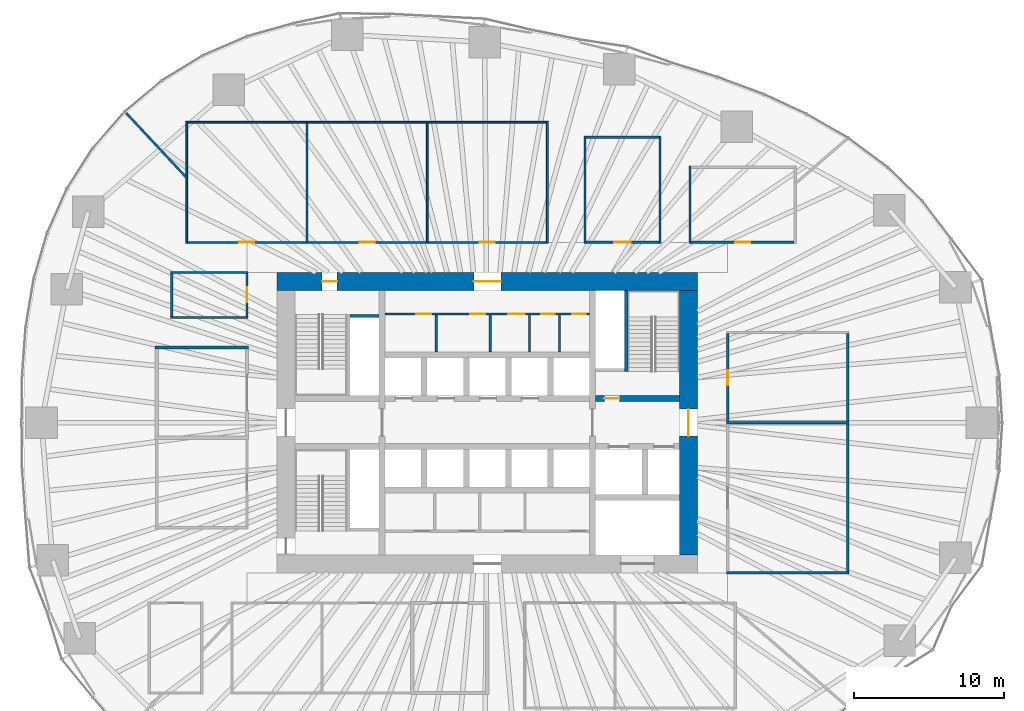
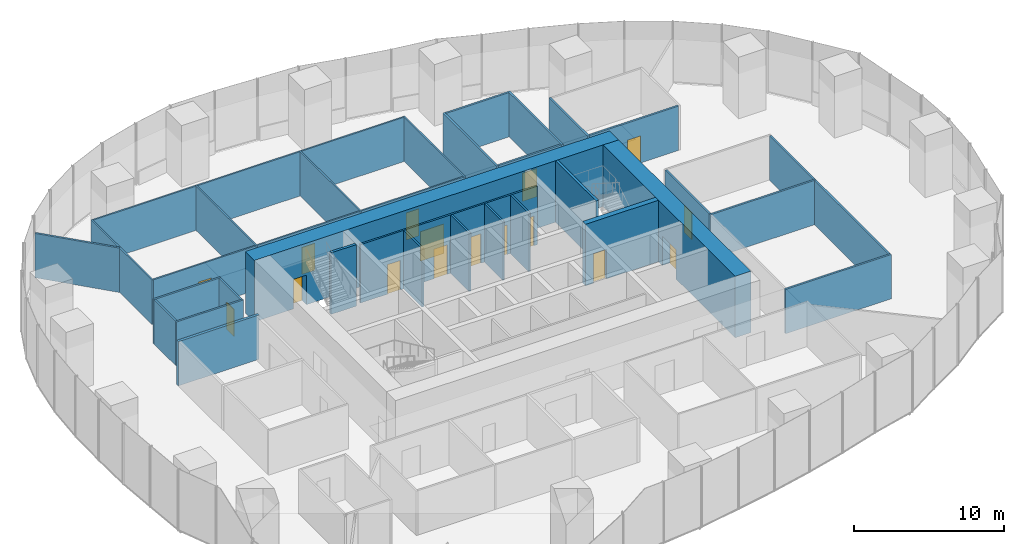
# One storey, part 11 of 20: 37 walls, 16 doors, 16 openings.
"""IFC4 building model written with IfcOpenShell, lengths in metres."""

from ifc_helpers import new_model, si_unit, direction, frame, frame_2d, origin, place, context, subcontext, project, spatial, rectangle, extrude, material, layer, layer_set, type_object, element, fill, save


model = new_model("IFC4")

# Units and contexts
model_context = context("Model", 3, precision=1e-05, world=origin(), true_north=direction((0.0, 1.0)))
body_context = subcontext(model_context, "Body", "Model", "MODEL_VIEW")
ifc_project = project(units=[si_unit("LENGTHUNIT", "METRE"), si_unit("AREAUNIT", "SQUARE_METRE"), si_unit("VOLUMEUNIT", "CUBIC_METRE"), si_unit("PLANEANGLEUNIT", "RADIAN"), si_unit("MASSUNIT", "GRAM", prefix="KILO")], contexts=[model_context])

# Site, building, storey
site_placement = place(None, origin())
site = spatial("IfcSite", under=ifc_project, at=site_placement, CompositionType="ELEMENT")
building_placement = place(site_placement, origin())
building = spatial("IfcBuilding", under=site, at=building_placement, Name="Ghaith Harvest Tower", CompositionType="ELEMENT")
storey_placement = place(building_placement, frame((0.0, 0.0, 30.0)))
storey = spatial("IfcBuildingStorey", under=building, at=storey_placement, Name="L06", CompositionType="ELEMENT", Elevation=30.0)

# Wall
ifc_material_1 = material(Name="Concrete blockwork, 1-hour", Category="masonry")
ifc_layer_1 = layer(ifc_material_1, 0.215087890625)
ifc_layer_set_1 = layer_set([ifc_layer_1], Name="BLOCKWORK WALL 215")
wall_type_1 = type_object("IfcWallType", Name="BLOCKWORK WALL 215", PredefinedType="PARTITIONING", material=ifc_layer_set_1)
wall_1_placement = place(storey_placement, frame((-15.892578125, 5.0, 0.0), z_axis=(0.0, 0.0, 1.0), x_axis=(-1.0, 0.0, 0.0)))
element("IfcWall", 1, at=wall_1_placement, inside=storey, type_object=wall_type_1, Name="Partition L06 row W6 cross wall 3", PredefinedType="PARTITIONING", context=body_context, shape_type="SweptSolid", body=[
    extrude(rectangle(XDim=6.21484375, YDim=0.215087890625, at=frame_2d((3.107421875, 0.0))), origin(), (0.0, 0.0, 1.0), 3.60009765625),
])

# Wall, openings, doors
ifc_material_2 = material(Name="Concrete blockwork, fair-faced", Category="masonry")
ifc_layer_2 = layer(ifc_material_2, 0.139892578125)
ifc_layer_set_2 = layer_set([ifc_layer_2], Name="CORE PARTITION 140")
wall_type_2 = type_object("IfcWallType", Name="CORE PARTITION 140", PredefinedType="PARTITIONING", material=ifc_layer_set_2)
wall_2_placement = place(storey_placement, frame((-6.800048828125, 7.22998046875, 0.0), z_axis=(0.0, 0.0, 1.0), x_axis=(1.0, 0.0, 0.0)))
wall_2 = element("IfcWall", 2, at=wall_2_placement, inside=storey, type_object=wall_type_2, Name="Core partition L06", PredefinedType="PARTITIONING", context=body_context, shape_type="SweptSolid", body=[
    extrude(rectangle(XDim=13.60009765625, YDim=0.139892578125, at=frame_2d((6.800048828125, 0.0))), origin(), (0.0, 0.0, 1.0), 4.75),
])
opening_1_placement = place(wall_2_placement, frame((2.080078125, 0.0, 0.0)))
opening_1 = element("IfcOpeningElement", 3, at=opening_1_placement, cuts=wall_2, Name="Opening 06-008", PredefinedType="OPENING", context=body_context, shape_type="SweptSolid", body=[
    extrude(rectangle(XDim=1.0, YDim=2.39990234375, at=frame_2d((0.5, 1.199951171875))), frame((0.0, 0.080078125, 0.0), z_axis=(0.0, -1.0, 0.0), x_axis=(1.0, 0.0, 0.0)), (0.0, 0.0, 1.0), 0.159912109375),
])
opening_2_placement = place(wall_2_placement, frame((5.679931640625, 0.0, 0.0)))
opening_2 = element("IfcOpeningElement", 4, at=opening_2_placement, cuts=wall_2, Name="Opening 06-009", PredefinedType="OPENING", context=body_context, shape_type="SweptSolid", body=[
    extrude(rectangle(XDim=1.0, YDim=2.39990234375, at=frame_2d((0.5, 1.199951171875))), frame((0.0, 0.080078125, 0.0), z_axis=(0.0, -1.0, 0.0), x_axis=(1.0, 0.0, 0.0)), (0.0, 0.0, 1.0), 0.159912109375),
])
opening_3_placement = place(wall_2_placement, frame((8.179931640625, 0.0, 0.0)))
opening_3 = element("IfcOpeningElement", 5, at=opening_3_placement, cuts=wall_2, Name="Opening 06-010", PredefinedType="OPENING", context=body_context, shape_type="SweptSolid", body=[
    extrude(rectangle(XDim=1.10009765625, YDim=2.39990234375, at=frame_2d((0.550048828125, 1.199951171875))), frame((0.0, 0.080078125, 0.0), z_axis=(0.0, -1.0, 0.0), x_axis=(1.0, 0.0, 0.0)), (0.0, 0.0, 1.0), 0.159912109375),
])
opening_4_placement = place(wall_2_placement, frame((10.3798828125, 0.0, 0.0)))
opening_4 = element("IfcOpeningElement", 6, at=opening_4_placement, cuts=wall_2, Name="Opening 06-011", PredefinedType="OPENING", context=body_context, shape_type="SweptSolid", body=[
    extrude(rectangle(XDim=0.89990234375, YDim=2.39990234375, at=frame_2d((0.449951171875, 1.199951171875))), frame((0.0, 0.080078125, 0.0), z_axis=(0.0, -1.0, 0.0), x_axis=(1.0, 0.0, 0.0)), (0.0, 0.0, 1.0), 0.159912109375),
])
opening_5_placement = place(wall_2_placement, frame((12.449951171875, 0.0, 0.0)))
opening_5 = element("IfcOpeningElement", 7, at=opening_5_placement, cuts=wall_2, Name="Opening 06-012", PredefinedType="OPENING", context=body_context, shape_type="SweptSolid", body=[
    extrude(rectangle(XDim=0.89990234375, YDim=2.39990234375, at=frame_2d((0.449951171875, 1.199951171875))), frame((0.0, 0.080078125, 0.0), z_axis=(0.0, -1.0, 0.0), x_axis=(1.0, 0.0, 0.0)), (0.0, 0.0, 1.0), 0.159912109375),
])
ifc_material_3 = material(Name="Steel fire door", Category="steel")
door_type_1 = type_object("IfcDoorType", Name="D3 FD90 1000x2400", OperationType="SINGLE_SWING_LEFT", PredefinedType="DOOR", material=ifc_material_3)
door_1_placement = place(opening_1_placement, origin())
door_1 = element("IfcDoor", 8, at=door_1_placement, inside=storey, type_object=door_type_1, Name="Male WC door", OperationType="SINGLE_SWING_LEFT", OverallHeight=2.39990234375, OverallWidth=1.0, PredefinedType="DOOR", context=body_context, shape_type="SweptSolid", body=[
    extrude(rectangle(XDim=1.0, YDim=2.39990234375, at=frame_2d((0.5, 1.199951171875))), frame((0.0, 0.02490234375, 0.0), z_axis=(0.0, -1.0, 0.0), x_axis=(1.0, 0.0, 0.0)), (0.0, 0.0, 1.0), 0.050048828125),
])
fill(opening_1, door_1)
door_2_placement = place(opening_2_placement, origin())
door_2 = element("IfcDoor", 9, at=door_2_placement, inside=storey, type_object=door_type_1, Name="Female WC door", OperationType="SINGLE_SWING_LEFT", OverallHeight=2.39990234375, OverallWidth=1.0, PredefinedType="DOOR", context=body_context, shape_type="SweptSolid", body=[
    extrude(rectangle(XDim=1.0, YDim=2.39990234375, at=frame_2d((0.5, 1.199951171875))), frame((0.0, 0.02490234375, 0.0), z_axis=(0.0, -1.0, 0.0), x_axis=(1.0, 0.0, 0.0)), (0.0, 0.0, 1.0), 0.050048828125),
])
fill(opening_2, door_2)
ifc_material_4 = material(Name="Steel fire door", Category="steel")
door_type_2 = type_object("IfcDoorType", Name="D5 FD90 900x2400", OperationType="SINGLE_SWING_LEFT", PredefinedType="DOOR", material=ifc_material_4)
door_3_placement = place(opening_4_placement, origin())
door_3 = element("IfcDoor", 10, at=door_3_placement, inside=storey, type_object=door_type_2, Name="Store door", OperationType="SINGLE_SWING_RIGHT", OverallHeight=2.39990234375, OverallWidth=0.89990234375, PredefinedType="DOOR", context=body_context, shape_type="SweptSolid", body=[
    extrude(rectangle(XDim=0.89990234375, YDim=2.39990234375, at=frame_2d((0.449951171875, 1.199951171875))), frame((0.0, 0.02490234375, 0.0), z_axis=(0.0, -1.0, 0.0), x_axis=(1.0, 0.0, 0.0)), (0.0, 0.0, 1.0), 0.050048828125),
])
fill(opening_4, door_3)
door_4_placement = place(opening_5_placement, origin())
door_4 = element("IfcDoor", 11, at=door_4_placement, inside=storey, type_object=door_type_2, Name="Cleaner's store door", OperationType="SINGLE_SWING_RIGHT", OverallHeight=2.39990234375, OverallWidth=0.89990234375, PredefinedType="DOOR", context=body_context, shape_type="SweptSolid", body=[
    extrude(rectangle(XDim=0.89990234375, YDim=2.39990234375, at=frame_2d((0.449951171875, 1.199951171875))), frame((0.0, 0.02490234375, 0.0), z_axis=(0.0, -1.0, 0.0), x_axis=(1.0, 0.0, 0.0)), (0.0, 0.0, 1.0), 0.050048828125),
])
fill(opening_5, door_4)
ifc_material_5 = material(Name="Steel fire door", Category="steel")
door_type_3 = type_object("IfcDoorType", Name="D9 FD90 1100x2400", OperationType="SINGLE_SWING_LEFT", PredefinedType="DOOR", material=ifc_material_5)
door_5_placement = place(opening_3_placement, origin())
door_5 = element("IfcDoor", 12, at=door_5_placement, inside=storey, type_object=door_type_3, Name="Accessible WC door", OperationType="SINGLE_SWING_RIGHT", OverallHeight=2.39990234375, OverallWidth=1.10009765625, PredefinedType="DOOR", context=body_context, shape_type="SweptSolid", body=[
    extrude(rectangle(XDim=1.10009765625, YDim=2.39990234375, at=frame_2d((0.550048828125, 1.199951171875))), frame((0.0, 0.02490234375, 0.0), z_axis=(0.0, -1.0, 0.0), x_axis=(1.0, 0.0, 0.0)), (0.0, 0.0, 1.0), 0.050048828125),
])
fill(opening_3, door_5)

# Walls
for number, where, z_axis, x_axis, name in (
    (13, (-3.39990234375, 4.699951171875, 0.0), (0.0, 0.0, 1.0), (0.0, 1.0, 0.0), "Core partition L06"),
    (14, (0.199951171875, 4.699951171875, 0.0), (0.0, 0.0, 1.0), (0.0, 1.0, 0.0), "Core partition L06"),
    (15, (2.800048828125, 4.699951171875, 0.0), (0.0, 0.0, 1.0), (0.0, 1.0, 0.0), "Core partition L06"),
    (16, (4.800048828125, 4.699951171875, 0.0), (0.0, 0.0, 1.0), (0.0, 1.0, 0.0), "Core partition L06"),
):
    element("IfcWall", number, at=place(storey_placement, frame(where, z_axis=z_axis, x_axis=x_axis)), inside=storey, type_object=wall_type_2, Name=name, PredefinedType="PARTITIONING", context=body_context, shape_type="SweptSolid", body=[
        extrude(rectangle(XDim=2.4599609375, YDim=0.139892578125, at=frame_2d((1.22998046875, 0.0))), origin(), (0.0, 0.0, 1.0), 4.75),
    ])

# Wall, openings, doors
ifc_material_6 = material(Name="Concrete C70/85", Category="concrete")
ifc_layer_3 = layer(ifc_material_6, 1.199951171875)
ifc_layer_set_3 = layer_set([ifc_layer_3], Name="CORE WALL CW1200")
wall_type_3 = type_object("IfcWallType", Name="CORE WALL CW1200", PredefinedType="SHEAR", material=ifc_layer_set_3)
wall_3_placement = place(storey_placement, frame((14.0, 9.39990234375, 0.0), z_axis=(0.0, 0.0, 1.0), x_axis=(-1.0, 0.0, 0.0)))
wall_3 = element("IfcWall", 17, at=wall_3_placement, inside=storey, type_object=wall_type_3, Name="Core wall N L06", PredefinedType="SHEAR", context=body_context, shape_type="SweptSolid", body=[
    extrude(rectangle(XDim=28.0, YDim=1.199951171875, at=frame_2d((14.0, 0.0))), origin(), (0.0, 0.0, 1.0), 5.0),
])
opening_6_placement = place(wall_3_placement, frame((24.0, 0.0, 0.0)))
opening_6 = element("IfcOpeningElement", 18, at=opening_6_placement, cuts=wall_3, Name="Opening 06-005", PredefinedType="OPENING", context=body_context, shape_type="SweptSolid", body=[
    extrude(rectangle(XDim=1.0, YDim=2.39990234375, at=frame_2d((0.5, 1.199951171875))), frame((0.0, 0.60986328125, 0.0), z_axis=(0.0, -1.0, 0.0), x_axis=(1.0, 0.0, 0.0)), (0.0, 0.0, 1.0), 1.219970703125),
])
opening_7_placement = place(wall_3_placement, frame((13.10009765625, 0.0, 0.0)))
opening_7 = element("IfcOpeningElement", 19, at=opening_7_placement, cuts=wall_3, Name="Opening 06-017", PredefinedType="OPENING", context=body_context, shape_type="SweptSolid", body=[
    extrude(rectangle(XDim=1.800048828125, YDim=2.39990234375, at=frame_2d((0.89990234375, 1.199951171875))), frame((0.0, 0.60986328125, 0.0), z_axis=(0.0, -1.0, 0.0), x_axis=(1.0, 0.0, 0.0)), (0.0, 0.0, 1.0), 1.219970703125),
])
door_6_placement = place(opening_6_placement, origin())
door_6 = element("IfcDoor", 20, at=door_6_placement, inside=storey, type_object=door_type_1, Name="Stair ST1 door", OperationType="SINGLE_SWING_RIGHT", OverallHeight=2.39990234375, OverallWidth=1.0, PredefinedType="DOOR", context=body_context, shape_type="SweptSolid", body=[
    extrude(rectangle(XDim=1.0, YDim=2.39990234375, at=frame_2d((0.5, 1.199951171875))), frame((0.0, 0.02490234375, 0.0), z_axis=(0.0, -1.0, 0.0), x_axis=(1.0, 0.0, 0.0)), (0.0, 0.0, 1.0), 0.050048828125),
])
fill(opening_6, door_6)
ifc_material_7 = material(Name="Steel fire door", Category="steel")
door_type_4 = type_object("IfcDoorType", Name="D4 FD90 PAIR 1800x2400", OperationType="DOUBLE_DOOR_SINGLE_SWING", PredefinedType="DOOR", material=ifc_material_7)
door_7_placement = place(opening_7_placement, origin())
door_7 = element("IfcDoor", 21, at=door_7_placement, inside=storey, type_object=door_type_4, Name="Core service corridor doors", OperationType="DOUBLE_DOOR_SINGLE_SWING", OverallHeight=2.39990234375, OverallWidth=1.800048828125, PredefinedType="DOOR", context=body_context, shape_type="SweptSolid", body=[
    extrude(rectangle(XDim=1.800048828125, YDim=2.39990234375, at=frame_2d((0.89990234375, 1.199951171875))), frame((0.0, 0.02490234375, 0.0), z_axis=(0.0, -1.0, 0.0), x_axis=(1.0, 0.0, 0.0)), (0.0, 0.0, 1.0), 0.050048828125),
])
fill(opening_7, door_7)

# Wall, opening, door
wall_4_placement = place(storey_placement, frame((13.39990234375, -8.800048828125, 0.0), z_axis=(0.0, 0.0, 1.0), x_axis=(0.0, 1.0, 0.0)))
wall_4 = element("IfcWall", 22, at=wall_4_placement, inside=storey, type_object=wall_type_3, Name="Core wall E L06", PredefinedType="SHEAR", context=body_context, shape_type="SweptSolid", body=[
    extrude(rectangle(XDim=17.60009765625, YDim=1.199951171875, at=frame_2d((8.800048828125, 0.0))), origin(), (0.0, 0.0, 1.0), 5.0),
])
opening_8_placement = place(wall_4_placement, frame((7.89990234375, 0.0, 0.0)))
opening_8 = element("IfcOpeningElement", 23, at=opening_8_placement, cuts=wall_4, Name="Opening 06-002", PredefinedType="OPENING", context=body_context, shape_type="SweptSolid", body=[
    extrude(rectangle(XDim=1.800048828125, YDim=2.39990234375, at=frame_2d((0.89990234375, 1.199951171875))), frame((0.0, 0.60986328125, 0.0), z_axis=(0.0, -1.0, 0.0), x_axis=(1.0, 0.0, 0.0)), (0.0, 0.0, 1.0), 1.219970703125),
])
door_8_placement = place(opening_8_placement, origin())
door_8 = element("IfcDoor", 24, at=door_8_placement, inside=storey, type_object=door_type_4, Name="Fire-fighting lobby doors", OperationType="DOUBLE_DOOR_SINGLE_SWING", OverallHeight=2.39990234375, OverallWidth=1.800048828125, PredefinedType="DOOR", context=body_context, shape_type="SweptSolid", body=[
    extrude(rectangle(XDim=1.800048828125, YDim=2.39990234375, at=frame_2d((0.89990234375, 1.199951171875))), frame((0.0, 0.02490234375, 0.0), z_axis=(0.0, -1.0, 0.0), x_axis=(1.0, 0.0, 0.0)), (0.0, 0.0, 1.0), 0.050048828125),
])
fill(opening_8, door_8)

# Walls
ifc_material_8 = material(Name="Insulated food-grade panel", Category="steel")
ifc_layer_4 = layer(ifc_material_8, 0.1201171875)
ifc_layer_set_4 = layer_set([ifc_layer_4], Name="INSULATED PANEL WALL 120")
wall_type_4 = type_object("IfcWallType", Name="INSULATED PANEL WALL 120", PredefinedType="PARTITIONING", material=ifc_layer_set_4)
for number, where, z_axis, x_axis, name in (
    (25, (-20.0, 11.93994140625, 0.0), (0.0, 0.0, 1.0), (0.0, 1.0, 0.0), "Partition L06 row N1 cross wall 1"),
    (26, (-12.0, 11.93994140625, 0.0), (0.0, 0.0, 1.0), (0.0, 1.0, 0.0), "Partition L06 row N1 cross wall 2"),
    (27, (-4.0, 11.93994140625, 0.0), (0.0, 0.0, 1.0), (0.0, 1.0, 0.0), "Partition L06 row N1 cross wall 3"),
    (28, (4.0, 11.93994140625, 0.0), (0.0, 0.0, 1.0), (0.0, 1.0, 0.0), "Partition L06 row N1 cross wall 4"),
):
    element("IfcWall", number, at=place(storey_placement, frame(where, z_axis=z_axis, x_axis=x_axis)), inside=storey, type_object=wall_type_4, Name=name, PredefinedType="PARTITIONING", context=body_context, shape_type="SweptSolid", body=[
        extrude(rectangle(XDim=8.1201171875, YDim=0.1201171875, at=frame_2d((4.06005859375, 0.0))), origin(), (0.0, 0.0, 1.0), 3.60009765625),
    ])

# Wall, opening, door
wall_5_placement = place(storey_placement, frame((-19.93994140625, 12.0, 0.0), z_axis=(0.0, 0.0, 1.0), x_axis=(1.0, 0.0, 0.0)))
wall_5 = element("IfcWall", 29, at=wall_5_placement, inside=storey, type_object=wall_type_4, Name="Partition L06-01", PredefinedType="PARTITIONING", context=body_context, shape_type="SweptSolid", body=[
    extrude(rectangle(XDim=7.8798828125, YDim=0.1201171875, at=frame_2d((3.93994140625, 0.0))), origin(), (0.0, 0.0, 1.0), 3.60009765625),
])
opening_9_placement = place(wall_5_placement, frame((3.43994140625, 0.0, 0.0)))
opening_9 = element("IfcOpeningElement", 30, at=opening_9_placement, cuts=wall_5, Name="Opening 06-026", PredefinedType="OPENING", context=body_context, shape_type="SweptSolid", body=[
    extrude(rectangle(XDim=1.0, YDim=2.199951171875, at=frame_2d((0.5, 1.10009765625))), frame((0.0, 0.070068359375, 0.0), z_axis=(0.0, -1.0, 0.0), x_axis=(1.0, 0.0, 0.0)), (0.0, 0.0, 1.0), 0.14013671875),
])
ifc_material_9 = material(Name="Timber door", Category="wood")
door_type_5 = type_object("IfcDoorType", Name="D1 SINGLE 1000x2200", OperationType="SINGLE_SWING_LEFT", PredefinedType="DOOR", material=ifc_material_9)
door_9_placement = place(opening_9_placement, origin())
door_9 = element("IfcDoor", 31, at=door_9_placement, inside=storey, type_object=door_type_5, Name="Propagation room door", OperationType="SINGLE_SWING_LEFT", OverallHeight=2.199951171875, OverallWidth=1.0, PredefinedType="DOOR", context=body_context, shape_type="SweptSolid", body=[
    extrude(rectangle(XDim=1.0, YDim=2.199951171875, at=frame_2d((0.5, 1.10009765625))), frame((0.0, 0.02490234375, 0.0), z_axis=(0.0, -1.0, 0.0), x_axis=(1.0, 0.0, 0.0)), (0.0, 0.0, 1.0), 0.050048828125),
])
fill(opening_9, door_9)

# Wall
wall_6_placement = place(storey_placement, frame((-19.93994140625, 20.0, 0.0), z_axis=(0.0, 0.0, 1.0), x_axis=(1.0, 0.0, 0.0)))
element("IfcWall", 32, at=wall_6_placement, inside=storey, type_object=wall_type_4, Name="Partition L06-01", PredefinedType="PARTITIONING", context=body_context, shape_type="SweptSolid", body=[
    extrude(rectangle(XDim=7.8798828125, YDim=0.1201171875, at=frame_2d((3.93994140625, 0.0))), origin(), (0.0, 0.0, 1.0), 3.60009765625),
])

# Wall, opening, door
wall_7_placement = place(storey_placement, frame((-11.93994140625, 12.0, 0.0), z_axis=(0.0, 0.0, 1.0), x_axis=(1.0, 0.0, 0.0)))
wall_7 = element("IfcWall", 33, at=wall_7_placement, inside=storey, type_object=wall_type_4, Name="Partition L06-02", PredefinedType="PARTITIONING", context=body_context, shape_type="SweptSolid", body=[
    extrude(rectangle(XDim=7.8798828125, YDim=0.1201171875, at=frame_2d((3.93994140625, 0.0))), origin(), (0.0, 0.0, 1.0), 3.60009765625),
])
opening_10_placement = place(wall_7_placement, frame((3.43994140625, 0.0, 0.0)))
opening_10 = element("IfcOpeningElement", 34, at=opening_10_placement, cuts=wall_7, Name="Opening 06-027", PredefinedType="OPENING", context=body_context, shape_type="SweptSolid", body=[
    extrude(rectangle(XDim=1.0, YDim=2.199951171875, at=frame_2d((0.5, 1.10009765625))), frame((0.0, 0.070068359375, 0.0), z_axis=(0.0, -1.0, 0.0), x_axis=(1.0, 0.0, 0.0)), (0.0, 0.0, 1.0), 0.14013671875),
])
door_10_placement = place(opening_10_placement, origin())
door_10 = element("IfcDoor", 35, at=door_10_placement, inside=storey, type_object=door_type_5, Name="Propagation room door", OperationType="SINGLE_SWING_LEFT", OverallHeight=2.199951171875, OverallWidth=1.0, PredefinedType="DOOR", context=body_context, shape_type="SweptSolid", body=[
    extrude(rectangle(XDim=1.0, YDim=2.199951171875, at=frame_2d((0.5, 1.10009765625))), frame((0.0, 0.02490234375, 0.0), z_axis=(0.0, -1.0, 0.0), x_axis=(1.0, 0.0, 0.0)), (0.0, 0.0, 1.0), 0.050048828125),
])
fill(opening_10, door_10)

# Wall
wall_8_placement = place(storey_placement, frame((-11.93994140625, 20.0, 0.0), z_axis=(0.0, 0.0, 1.0), x_axis=(1.0, 0.0, 0.0)))
element("IfcWall", 36, at=wall_8_placement, inside=storey, type_object=wall_type_4, Name="Partition L06-02", PredefinedType="PARTITIONING", context=body_context, shape_type="SweptSolid", body=[
    extrude(rectangle(XDim=7.8798828125, YDim=0.1201171875, at=frame_2d((3.93994140625, 0.0))), origin(), (0.0, 0.0, 1.0), 3.60009765625),
])

# Wall, opening, door
wall_9_placement = place(storey_placement, frame((-3.93994140625, 12.0, 0.0), z_axis=(0.0, 0.0, 1.0), x_axis=(1.0, 0.0, 0.0)))
wall_9 = element("IfcWall", 37, at=wall_9_placement, inside=storey, type_object=wall_type_4, Name="Partition L06-03", PredefinedType="PARTITIONING", context=body_context, shape_type="SweptSolid", body=[
    extrude(rectangle(XDim=7.8798828125, YDim=0.1201171875, at=frame_2d((3.93994140625, 0.0))), origin(), (0.0, 0.0, 1.0), 3.60009765625),
])
opening_11_placement = place(wall_9_placement, frame((3.43994140625, 0.0, 0.0)))
opening_11 = element("IfcOpeningElement", 38, at=opening_11_placement, cuts=wall_9, Name="Opening 06-028", PredefinedType="OPENING", context=body_context, shape_type="SweptSolid", body=[
    extrude(rectangle(XDim=1.0, YDim=2.199951171875, at=frame_2d((0.5, 1.10009765625))), frame((0.0, 0.070068359375, 0.0), z_axis=(0.0, -1.0, 0.0), x_axis=(1.0, 0.0, 0.0)), (0.0, 0.0, 1.0), 0.14013671875),
])
door_11_placement = place(opening_11_placement, origin())
door_11 = element("IfcDoor", 39, at=door_11_placement, inside=storey, type_object=door_type_5, Name="Propagation room door", OperationType="SINGLE_SWING_LEFT", OverallHeight=2.199951171875, OverallWidth=1.0, PredefinedType="DOOR", context=body_context, shape_type="SweptSolid", body=[
    extrude(rectangle(XDim=1.0, YDim=2.199951171875, at=frame_2d((0.5, 1.10009765625))), frame((0.0, 0.02490234375, 0.0), z_axis=(0.0, -1.0, 0.0), x_axis=(1.0, 0.0, 0.0)), (0.0, 0.0, 1.0), 0.050048828125),
])
fill(opening_11, door_11)

# Walls
wall_10_placement = place(storey_placement, frame((-3.93994140625, 20.0, 0.0), z_axis=(0.0, 0.0, 1.0), x_axis=(1.0, 0.0, 0.0)))
element("IfcWall", 40, at=wall_10_placement, inside=storey, type_object=wall_type_4, Name="Partition L06-03", PredefinedType="PARTITIONING", context=body_context, shape_type="SweptSolid", body=[
    extrude(rectangle(XDim=7.8798828125, YDim=0.1201171875, at=frame_2d((3.93994140625, 0.0))), origin(), (0.0, 0.0, 1.0), 3.60009765625),
])
ifc_material_10 = material(Name="Gypsum board on steel studs", Category="steel")
ifc_layer_5 = layer(ifc_material_10, 0.14990234375)
ifc_layer_set_5 = layer_set([ifc_layer_5], Name="PARTITION 150")
wall_type_5 = type_object("IfcWallType", Name="PARTITION 150", PredefinedType="PARTITIONING", material=ifc_layer_set_5)
for number, where, z_axis, x_axis, name in (
    (41, (6.5, 11.925048828125, 0.0), (0.0, 0.0, 1.0), (0.0, 1.0, 0.0), "Partition L06 row N2 cross wall 1"),
    (42, (11.5, 11.925048828125, 0.0), (0.0, 0.0, 1.0), (0.0, 1.0, 0.0), "Partition L06 row N2 cross wall 2"),
):
    element("IfcWall", number, at=place(storey_placement, frame(where, z_axis=z_axis, x_axis=x_axis)), inside=storey, type_object=wall_type_5, Name=name, PredefinedType="PARTITIONING", context=body_context, shape_type="SweptSolid", body=[
        extrude(rectangle(XDim=7.14990234375, YDim=0.14990234375, at=frame_2d((3.574951171875, 0.0))), origin(), (0.0, 0.0, 1.0), 3.60009765625),
    ])

# Wall, opening, door
wall_11_placement = place(storey_placement, frame((6.574951171875, 12.0, 0.0), z_axis=(0.0, 0.0, 1.0), x_axis=(1.0, 0.0, 0.0)))
wall_11 = element("IfcWall", 43, at=wall_11_placement, inside=storey, type_object=wall_type_5, Name="Partition L06-04", PredefinedType="PARTITIONING", context=body_context, shape_type="SweptSolid", body=[
    extrude(rectangle(XDim=4.85009765625, YDim=0.14990234375, at=frame_2d((2.425048828125, 0.0))), origin(), (0.0, 0.0, 1.0), 3.60009765625),
])
opening_12_placement = place(wall_11_placement, frame((1.875, 0.0, 0.0)))
opening_12 = element("IfcOpeningElement", 44, at=opening_12_placement, cuts=wall_11, Name="Opening 06-029", PredefinedType="OPENING", context=body_context, shape_type="SweptSolid", body=[
    extrude(rectangle(XDim=1.10009765625, YDim=2.300048828125, at=frame_2d((0.550048828125, 1.14990234375))), frame((0.0, 0.0849609375, 0.0), z_axis=(0.0, -1.0, 0.0), x_axis=(1.0, 0.0, 0.0)), (0.0, 0.0, 1.0), 0.169921875),
])
ifc_material_11 = material(Name="Timber-framed glazed door", Category="wood")
door_type_6 = type_object("IfcDoorType", Name="D12 GLAZED OFFICE 1100x2300", OperationType="SINGLE_SWING_LEFT", PredefinedType="DOOR", material=ifc_material_11)
door_12_placement = place(opening_12_placement, origin())
door_12 = element("IfcDoor", 45, at=door_12_placement, inside=storey, type_object=door_type_6, Name="Growing office door", OperationType="SINGLE_SWING_LEFT", OverallHeight=2.300048828125, OverallWidth=1.10009765625, PredefinedType="DOOR", context=body_context, shape_type="SweptSolid", body=[
    extrude(rectangle(XDim=1.10009765625, YDim=2.300048828125, at=frame_2d((0.550048828125, 1.14990234375))), frame((0.0, 0.02490234375, 0.0), z_axis=(0.0, -1.0, 0.0), x_axis=(1.0, 0.0, 0.0)), (0.0, 0.0, 1.0), 0.050048828125),
])
fill(opening_12, door_12)

# Walls
wall_12_placement = place(storey_placement, frame((6.574951171875, 19.0, 0.0), z_axis=(0.0, 0.0, 1.0), x_axis=(1.0, 0.0, 0.0)))
element("IfcWall", 46, at=wall_12_placement, inside=storey, type_object=wall_type_5, Name="Partition L06-04", PredefinedType="PARTITIONING", context=body_context, shape_type="SweptSolid", body=[
    extrude(rectangle(XDim=4.85009765625, YDim=0.14990234375, at=frame_2d((2.425048828125, 0.0))), origin(), (0.0, 0.0, 1.0), 3.60009765625),
])
for number, where, z_axis, x_axis, name in (
    (47, (15.925048828125, -10.0, 0.0), (0.0, 0.0, 1.0), (1.0, 0.0, 0.0), "Partition L06 row E3 cross wall 1"),
    (48, (15.925048828125, 0.0, 0.0), (0.0, 0.0, 1.0), (1.0, 0.0, 0.0), "Partition L06 row E3 cross wall 2"),
):
    element("IfcWall", number, at=place(storey_placement, frame(where, z_axis=z_axis, x_axis=x_axis)), inside=storey, type_object=wall_type_5, Name=name, PredefinedType="PARTITIONING", context=body_context, shape_type="SweptSolid", body=[
        extrude(rectangle(XDim=8.14990234375, YDim=0.14990234375, at=frame_2d((4.074951171875, 0.0))), origin(), (0.0, 0.0, 1.0), 3.60009765625),
    ])
wall_13_placement = place(storey_placement, frame((24.0, -9.925048828125, 0.0), z_axis=(0.0, 0.0, 1.0), x_axis=(0.0, 1.0, 0.0)))
element("IfcWall", 49, at=wall_13_placement, inside=storey, type_object=wall_type_5, Name="Partition L06-05", PredefinedType="PARTITIONING", context=body_context, shape_type="SweptSolid", body=[
    extrude(rectangle(XDim=9.85009765625, YDim=0.14990234375, at=frame_2d((4.925048828125, 0.0))), origin(), (0.0, 0.0, 1.0), 3.60009765625),
])

# Wall, opening, door
wall_14_placement = place(storey_placement, frame((16.0, 0.074951171875, 0.0), z_axis=(0.0, 0.0, 1.0), x_axis=(0.0, 1.0, 0.0)))
wall_14 = element("IfcWall", 50, at=wall_14_placement, inside=storey, type_object=wall_type_5, Name="Partition L06-06", PredefinedType="PARTITIONING", context=body_context, shape_type="SweptSolid", body=[
    extrude(rectangle(XDim=5.85009765625, YDim=0.14990234375, at=frame_2d((2.925048828125, 0.0))), origin(), (0.0, 0.0, 1.0), 3.60009765625),
])
opening_13_placement = place(wall_14_placement, frame((2.425048828125, 0.0, 0.0)))
opening_13 = element("IfcOpeningElement", 51, at=opening_13_placement, cuts=wall_14, Name="Opening 06-031", PredefinedType="OPENING", context=body_context, shape_type="SweptSolid", body=[
    extrude(rectangle(XDim=1.0, YDim=2.199951171875, at=frame_2d((0.5, 1.10009765625))), frame((0.0, 0.0849609375, 0.0), z_axis=(0.0, -1.0, 0.0), x_axis=(1.0, 0.0, 0.0)), (0.0, 0.0, 1.0), 0.169921875),
])
door_13_placement = place(opening_13_placement, origin())
door_13 = element("IfcDoor", 52, at=door_13_placement, inside=storey, type_object=door_type_5, Name="Seedling store door", OperationType="SINGLE_SWING_LEFT", OverallHeight=2.199951171875, OverallWidth=1.0, PredefinedType="DOOR", context=body_context, shape_type="SweptSolid", body=[
    extrude(rectangle(XDim=1.0, YDim=2.199951171875, at=frame_2d((0.5, 1.10009765625))), frame((0.0, 0.02490234375, 0.0), z_axis=(0.0, -1.0, 0.0), x_axis=(1.0, 0.0, 0.0)), (0.0, 0.0, 1.0), 0.050048828125),
])
fill(opening_13, door_13)

# Walls
wall_15_placement = place(storey_placement, frame((24.0, 0.074951171875, 0.0), z_axis=(0.0, 0.0, 1.0), x_axis=(0.0, 1.0, 0.0)))
element("IfcWall", 53, at=wall_15_placement, inside=storey, type_object=wall_type_5, Name="Partition L06-06", PredefinedType="PARTITIONING", context=body_context, shape_type="SweptSolid", body=[
    extrude(rectangle(XDim=5.85009765625, YDim=0.14990234375, at=frame_2d((2.925048828125, 0.0))), origin(), (0.0, 0.0, 1.0), 3.60009765625),
])
wall_16_placement = place(storey_placement, frame((13.5, 11.925048828125, 0.0), z_axis=(0.0, 0.0, 1.0), x_axis=(0.0, 1.0, 0.0)))
element("IfcWall", 54, at=wall_16_placement, inside=storey, type_object=wall_type_5, Name="Partition L06 row N7 cross wall 1", PredefinedType="PARTITIONING", context=body_context, shape_type="SweptSolid", body=[
    extrude(rectangle(XDim=5.14990234375, YDim=0.14990234375, at=frame_2d((2.574951171875, 0.0))), origin(), (0.0, 0.0, 1.0), 3.60009765625),
])

# Wall, opening, door
wall_17_placement = place(storey_placement, frame((13.574951171875, 12.0, 0.0), z_axis=(0.0, 0.0, 1.0), x_axis=(1.0, 0.0, 0.0)))
wall_17 = element("IfcWall", 55, at=wall_17_placement, inside=storey, type_object=wall_type_5, Name="Partition L06-14", PredefinedType="PARTITIONING", context=body_context, shape_type="SweptSolid", body=[
    extrude(rectangle(XDim=6.85009765625, YDim=0.14990234375, at=frame_2d((3.425048828125, 0.0))), origin(), (0.0, 0.0, 1.0), 3.60009765625),
])
opening_14_placement = place(wall_17_placement, frame((2.925048828125, 0.0, 0.0)))
opening_14 = element("IfcOpeningElement", 56, at=opening_14_placement, cuts=wall_17, Name="Opening 06-039", PredefinedType="OPENING", context=body_context, shape_type="SweptSolid", body=[
    extrude(rectangle(XDim=1.0, YDim=2.199951171875, at=frame_2d((0.5, 1.10009765625))), frame((0.0, 0.0849609375, 0.0), z_axis=(0.0, -1.0, 0.0), x_axis=(1.0, 0.0, 0.0)), (0.0, 0.0, 1.0), 0.169921875),
])
door_14_placement = place(opening_14_placement, origin())
door_14 = element("IfcDoor", 57, at=door_14_placement, inside=storey, type_object=door_type_5, Name="Seed sowing room door", OperationType="SINGLE_SWING_LEFT", OverallHeight=2.199951171875, OverallWidth=1.0, PredefinedType="DOOR", context=body_context, shape_type="SweptSolid", body=[
    extrude(rectangle(XDim=1.0, YDim=2.199951171875, at=frame_2d((0.5, 1.10009765625))), frame((0.0, 0.02490234375, 0.0), z_axis=(0.0, -1.0, 0.0), x_axis=(1.0, 0.0, 0.0)), (0.0, 0.0, 1.0), 0.050048828125),
])
fill(opening_14, door_14)

# Walls
for number, where, z_axis, x_axis, name in (
    (58, (-15.925048828125, 7.0, 0.0), (0.0, 0.0, 1.0), (-1.0, 0.0, 0.0), "Partition L06 row W9 cross wall 1"),
    (59, (-15.925048828125, 10.0, 0.0), (0.0, 0.0, 1.0), (-1.0, 0.0, 0.0), "Partition L06 row W9 cross wall 2"),
):
    element("IfcWall", number, at=place(storey_placement, frame(where, z_axis=z_axis, x_axis=x_axis)), inside=storey, type_object=wall_type_5, Name=name, PredefinedType="PARTITIONING", context=body_context, shape_type="SweptSolid", body=[
        extrude(rectangle(XDim=5.14990234375, YDim=0.14990234375, at=frame_2d((2.574951171875, 0.0))), origin(), (0.0, 0.0, 1.0), 3.60009765625),
    ])

# Wall, opening, door
wall_18_placement = place(storey_placement, frame((-16.0, 7.074951171875, 0.0), z_axis=(0.0, 0.0, 1.0), x_axis=(0.0, 1.0, 0.0)))
wall_18 = element("IfcWall", 60, at=wall_18_placement, inside=storey, type_object=wall_type_5, Name="Partition L06-16", PredefinedType="PARTITIONING", context=body_context, shape_type="SweptSolid", body=[
    extrude(rectangle(XDim=2.85009765625, YDim=0.14990234375, at=frame_2d((1.425048828125, 0.0))), origin(), (0.0, 0.0, 1.0), 3.60009765625),
])
opening_15_placement = place(wall_18_placement, frame((0.925048828125, 0.0, 0.0)))
opening_15 = element("IfcOpeningElement", 61, at=opening_15_placement, cuts=wall_18, Name="Opening 06-041", PredefinedType="OPENING", context=body_context, shape_type="SweptSolid", body=[
    extrude(rectangle(XDim=1.0, YDim=2.199951171875, at=frame_2d((0.5, 1.10009765625))), frame((0.0, 0.0849609375, 0.0), z_axis=(0.0, -1.0, 0.0), x_axis=(1.0, 0.0, 0.0)), (0.0, 0.0, 1.0), 0.169921875),
])
door_15_placement = place(opening_15_placement, origin())
door_15 = element("IfcDoor", 62, at=door_15_placement, inside=storey, type_object=door_type_5, Name="Store door", OperationType="SINGLE_SWING_LEFT", OverallHeight=2.199951171875, OverallWidth=1.0, PredefinedType="DOOR", context=body_context, shape_type="SweptSolid", body=[
    extrude(rectangle(XDim=1.0, YDim=2.199951171875, at=frame_2d((0.5, 1.10009765625))), frame((0.0, 0.02490234375, 0.0), z_axis=(0.0, -1.0, 0.0), x_axis=(1.0, 0.0, 0.0)), (0.0, 0.0, 1.0), 0.050048828125),
])
fill(opening_15, door_15)

# Walls
wall_19_placement = place(storey_placement, frame((-21.0, 7.074951171875, 0.0), z_axis=(0.0, 0.0, 1.0), x_axis=(0.0, 1.0, 0.0)))
element("IfcWall", 63, at=wall_19_placement, inside=storey, type_object=wall_type_5, Name="Partition L06-16", PredefinedType="PARTITIONING", context=body_context, shape_type="SweptSolid", body=[
    extrude(rectangle(XDim=2.85009765625, YDim=0.14990234375, at=frame_2d((1.425048828125, 0.0))), origin(), (0.0, 0.0, 1.0), 3.60009765625),
])
wall_20_placement = place(storey_placement, frame((-20.02001953125, 16.3046875, 0.0), z_axis=(0.0, 0.0, 1.0), x_axis=(-0.682516386928, 0.730870290527, 0.0)))
element("IfcWall", 64, at=wall_20_placement, inside=storey, type_object=wall_type_5, Name="Partition L06 zone division", PredefinedType="PARTITIONING", context=body_context, shape_type="SweptSolid", body=[
    extrude(rectangle(XDim=5.882080078125, YDim=0.14990234375, at=frame_2d((2.94091796875, 0.0))), origin(), (0.0, 0.0, 1.0), 3.60009765625),
])

# Wall, opening, door
ifc_material_12 = material(Name="Concrete C70/85", Category="concrete")
ifc_layer_6 = layer(ifc_material_12, 0.39990234375)
ifc_layer_set_6 = layer_set([ifc_layer_6], Name="SHAFT WALL 400")
wall_type_6 = type_object("IfcWallType", Name="SHAFT WALL 400", PredefinedType="SHEAR", material=ifc_layer_set_6)
wall_21_placement = place(storey_placement, frame((7.199951171875, 1.60009765625, 0.0), z_axis=(0.0, 0.0, 1.0), x_axis=(1.0, 0.0, 0.0)))
wall_21 = element("IfcWall", 65, at=wall_21_placement, inside=storey, type_object=wall_type_6, Name="Shaft wall EN L06", PredefinedType="SHEAR", context=body_context, shape_type="SweptSolid", body=[
    extrude(rectangle(XDim=5.60009765625, YDim=0.39990234375, at=frame_2d((2.800048828125, 0.0))), origin(), (0.0, 0.0, 1.0), 5.0),
])
opening_16_placement = place(wall_21_placement, frame((0.60009765625, 0.0, 0.0)))
opening_16 = element("IfcOpeningElement", 66, at=opening_16_placement, cuts=wall_21, Name="Opening 06-007", PredefinedType="OPENING", context=body_context, shape_type="SweptSolid", body=[
    extrude(rectangle(XDim=1.0, YDim=2.39990234375, at=frame_2d((0.5, 1.199951171875))), frame((0.0, 0.2099609375, 0.0), z_axis=(0.0, -1.0, 0.0), x_axis=(1.0, 0.0, 0.0)), (0.0, 0.0, 1.0), 0.419921875),
])
door_16_placement = place(opening_16_placement, origin())
door_16 = element("IfcDoor", 67, at=door_16_placement, inside=storey, type_object=door_type_1, Name="Stair ST2 door", OperationType="SINGLE_SWING_LEFT", OverallHeight=2.39990234375, OverallWidth=1.0, PredefinedType="DOOR", context=body_context, shape_type="SweptSolid", body=[
    extrude(rectangle(XDim=1.0, YDim=2.39990234375, at=frame_2d((0.5, 1.199951171875))), frame((0.0, 0.02490234375, 0.0), z_axis=(0.0, -1.0, 0.0), x_axis=(1.0, 0.0, 0.0)), (0.0, 0.0, 1.0), 0.050048828125),
])
fill(opening_16, door_16)

# Walls
ifc_material_13 = material(Name="Concrete C40/50", Category="concrete")
ifc_layer_7 = layer(ifc_material_13, 0.199951171875)
ifc_layer_set_7 = layer_set([ifc_layer_7], Name="STAIR SPINE WALL RC200")
wall_type_7 = type_object("IfcWallType", Name="STAIR SPINE WALL RC200", PredefinedType="SOLIDWALL", material=ifc_layer_set_7)
wall_22_placement = place(storey_placement, frame((-9.14990234375, 7.10009765625, 0.0), z_axis=(0.0, 0.0, 1.0), x_axis=(1.0, 0.0, 0.0)))
element("IfcWall", 68, at=wall_22_placement, inside=storey, type_object=wall_type_7, Name="Stair ST1 spine wall return L06", PredefinedType="SOLIDWALL", context=body_context, shape_type="SweptSolid", body=[
    extrude(rectangle(XDim=1.949951171875, YDim=0.199951171875, at=frame_2d((0.97509765625, 0.0))), origin(), (0.0, 0.0, 1.0), 5.0),
])
wall_23_placement = place(storey_placement, frame((9.25, 3.39990234375, 0.0), z_axis=(0.0, 0.0, 1.0), x_axis=(0.0, 1.0, 0.0)))
element("IfcWall", 69, at=wall_23_placement, inside=storey, type_object=wall_type_7, Name="Stair ST2 spine wall L06", PredefinedType="SOLIDWALL", context=body_context, shape_type="SweptSolid", body=[
    extrude(rectangle(XDim=5.400146484375, YDim=0.199951171875, at=frame_2d((2.7001953125, 0.0))), origin(), (0.0, 0.0, 1.0), 5.0),
])

save(model, "model.ifc")
